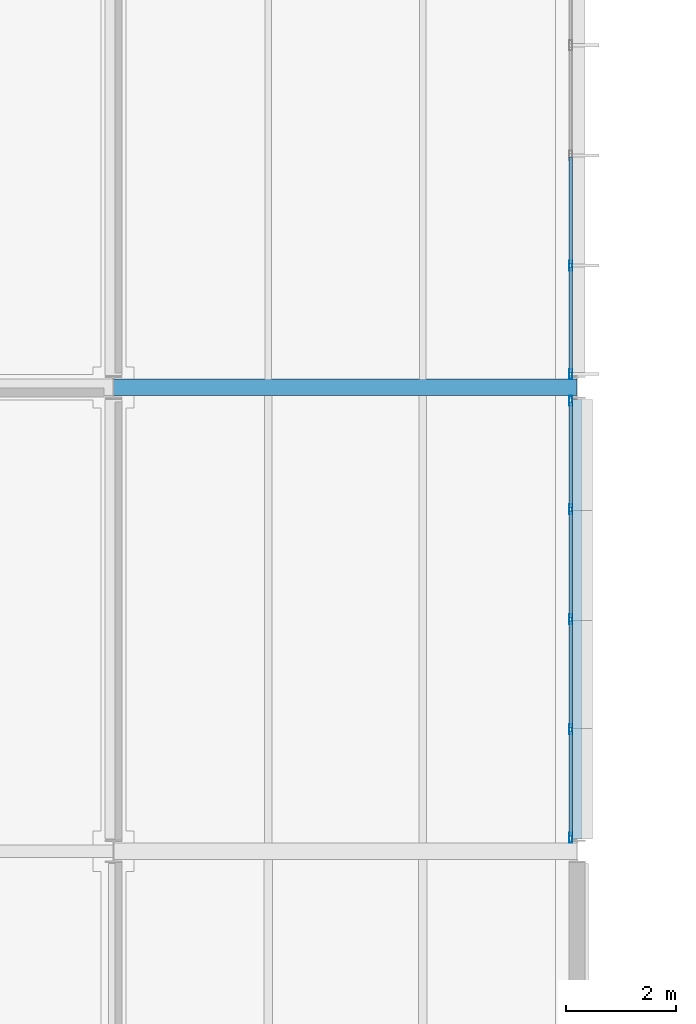
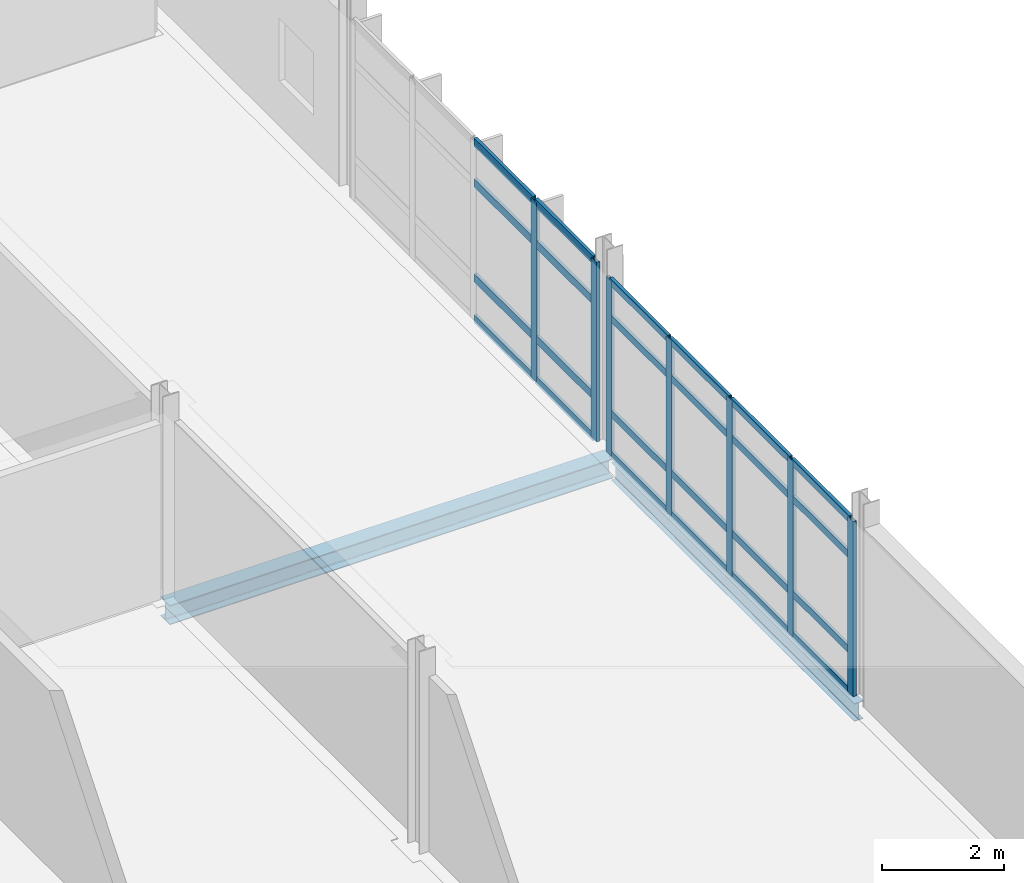
# One storey, part 87 of 131: 31 members, 2 beams, 2 elements without a shape of their own.
"""IFC4 building model written with IfcOpenShell, lengths in metres."""

from ifc_helpers import new_model, si_unit, direction, frame, origin, origin_2d, place, context, subcontext, project, spatial, hollow_rectangle, i_section, extrude, material, material_profile, profile_set, type_object, element, aggregate, save


model = new_model("IFC4")

# Units and contexts
model_context = context("Model", 3, precision=1e-05, world=origin(), true_north=direction((0.0, 1.0)))
body_context = subcontext(model_context, "Body", "Model", "MODEL_VIEW")
ifc_project = project(units=[si_unit("LENGTHUNIT", "METRE"), si_unit("AREAUNIT", "SQUARE_METRE"), si_unit("VOLUMEUNIT", "CUBIC_METRE"), si_unit("PLANEANGLEUNIT", "RADIAN"), si_unit("MASSUNIT", "GRAM", prefix="KILO")], contexts=[model_context])

# Site, building, storey
site_placement = place(None, origin())
site = spatial("IfcSite", under=ifc_project, at=site_placement, CompositionType="ELEMENT")
building_placement = place(site_placement, origin())
building = spatial("IfcBuilding", under=site, at=building_placement, Name="Mersafa Astral City Hall", CompositionType="ELEMENT")
storey_placement = place(building_placement, frame((0.0, 0.0, 13.949951171875)))
storey = spatial("IfcBuildingStorey", under=building, at=storey_placement, Name="L03", CompositionType="ELEMENT", Elevation=13.949951171875)

# Curtain wall, members
ifc_material_1 = material(Name="Anodised bronze aluminium framing", Category="aluminium")
curtain_wall_type_1 = type_object("IfcCurtainWallType", Name="ENV-CW-4", PredefinedType="USERDEFINED", material=ifc_material_1)
curtain_wall_1_placement = place(storey_placement, origin())
curtain_wall_1 = element("IfcCurtainWall", 1, at=curtain_wall_1_placement, inside=storey, type_object=curtain_wall_type_1, Name="L03 Unitised solar curtain wall 165", ObjectType="UNITISED CURTAIN WALL", PredefinedType="USERDEFINED")
ifc_material_profile_1 = material_profile(ifc_material_1, hollow_rectangle(XDim=0.06005859375, YDim=0.179931640625, WallThickness=0.00390625, at=origin_2d()), Name="RHS 60x180x4")
ifc_profile_set_1 = profile_set([ifc_material_profile_1], Name="Anodised bronze aluminium framing")
member_type_1 = type_object("IfcMemberType", Name="ENV-CW-MUL-1", PredefinedType="MULLION", material=ifc_profile_set_1)
member_1_placement = place(storey_placement, frame((176.280029296875, 75.842041015625, -0.001953125), z_axis=(0.0, 0.0, 1.0), x_axis=(-1.0, 0.0, 0.0)))
member_1 = element("IfcMember", 2, at=member_1_placement, type_object=member_type_1, Name="CW-4 mullion 1", PredefinedType="MULLION", context=body_context, shape_type="SweptSolid", body=[
    extrude(hollow_rectangle(XDim=0.06005859375, YDim=0.179931640625, WallThickness=0.00390625, at=origin_2d()), origin(), (0.0, 0.0, 1.0), 3.50390625),
])
member_2_placement = place(storey_placement, frame((176.280029296875, 77.805908203125, -0.001953125), z_axis=(0.0, 0.0, 1.0), x_axis=(-1.0, 0.0, 0.0)))
member_2 = element("IfcMember", 3, at=member_2_placement, type_object=member_type_1, Name="CW-4 mullion 2", PredefinedType="MULLION", context=body_context, shape_type="SweptSolid", body=[
    extrude(hollow_rectangle(XDim=0.06005859375, YDim=0.179931640625, WallThickness=0.00390625, at=origin_2d()), origin(), (0.0, 0.0, 1.0), 3.50390625),
])
member_3_placement = place(storey_placement, frame((176.280029296875, 79.800048828125, -0.001953125), z_axis=(0.0, 0.0, 1.0), x_axis=(-1.0, 0.0, 0.0)))
member_3 = element("IfcMember", 4, at=member_3_placement, type_object=member_type_1, Name="CW-4 mullion 3", PredefinedType="MULLION", context=body_context, shape_type="SweptSolid", body=[
    extrude(hollow_rectangle(XDim=0.06005859375, YDim=0.179931640625, WallThickness=0.00390625, at=origin_2d()), origin(), (0.0, 0.0, 1.0), 3.50390625),
])
member_4_placement = place(storey_placement, frame((176.280029296875, 81.7939453125, -0.001953125), z_axis=(0.0, 0.0, 1.0), x_axis=(-1.0, 0.0, 0.0)))
member_4 = element("IfcMember", 5, at=member_4_placement, type_object=member_type_1, Name="CW-4 mullion 4", PredefinedType="MULLION", context=body_context, shape_type="SweptSolid", body=[
    extrude(hollow_rectangle(XDim=0.06005859375, YDim=0.179931640625, WallThickness=0.00390625, at=origin_2d()), origin(), (0.0, 0.0, 1.0), 3.50390625),
])
member_5_placement = place(storey_placement, frame((176.280029296875, 83.758056640625, -0.001953125), z_axis=(0.0, 0.0, 1.0), x_axis=(-1.0, 0.0, 0.0)))
member_5 = element("IfcMember", 6, at=member_5_placement, type_object=member_type_1, Name="CW-4 mullion 5", PredefinedType="MULLION", context=body_context, shape_type="SweptSolid", body=[
    extrude(hollow_rectangle(XDim=0.06005859375, YDim=0.179931640625, WallThickness=0.00390625, at=origin_2d()), origin(), (0.0, 0.0, 1.0), 3.50390625),
])

curtain_wall_type_2 = type_object("IfcCurtainWallType", Name="ENV-CW-5", PredefinedType="USERDEFINED", material=ifc_material_1)
curtain_wall_2_placement = place(storey_placement, origin())
curtain_wall_2 = element("IfcCurtainWall", 7, at=curtain_wall_2_placement, inside=storey, type_object=curtain_wall_type_2, Name="L03 Unitised solar curtain wall 166", ObjectType="UNITISED CURTAIN WALL", PredefinedType="USERDEFINED")
member_6_placement = place(storey_placement, frame((176.280029296875, 84.241943359375, -0.001953125), z_axis=(0.0, 0.0, 1.0), x_axis=(-1.0, 0.0, 0.0)))
member_6 = element("IfcMember", 8, at=member_6_placement, type_object=member_type_1, Name="CW-5 mullion 1", PredefinedType="MULLION", context=body_context, shape_type="SweptSolid", body=[
    extrude(hollow_rectangle(XDim=0.06005859375, YDim=0.179931640625, WallThickness=0.00390625, at=origin_2d()), origin(), (0.0, 0.0, 1.0), 3.593994140625),
])
member_7_placement = place(storey_placement, frame((176.280029296875, 86.2060546875, -0.001953125), z_axis=(0.0, 0.0, 1.0), x_axis=(-1.0, 0.0, 0.0)))
member_7 = element("IfcMember", 9, at=member_7_placement, type_object=member_type_1, Name="CW-5 mullion 2", PredefinedType="MULLION", context=body_context, shape_type="SweptSolid", body=[
    extrude(hollow_rectangle(XDim=0.06005859375, YDim=0.179931640625, WallThickness=0.00390625, at=origin_2d()), origin(), (0.0, 0.0, 1.0), 3.593994140625),
])

# Member
ifc_material_profile_2 = material_profile(ifc_material_1, hollow_rectangle(XDim=0.06005859375, YDim=0.139892578125, WallThickness=0.00390625, at=origin_2d()), Name="RHS 60x140x4")
ifc_profile_set_2 = profile_set([ifc_material_profile_2], Name="Anodised bronze aluminium framing")
member_type_2 = type_object("IfcMemberType", Name="ENV-CW-TRN-1", PredefinedType="USERDEFINED", material=ifc_profile_set_2)
member_8_placement = place(storey_placement, frame((176.280029296875, 75.8720703125, 0.028076171875), z_axis=(0.0, 1.0, 0.0), x_axis=(-1.0, 0.0, 0.0)))
member_8 = element("IfcMember", 10, at=member_8_placement, type_object=member_type_2, Name="CW-4 transom 1.1", ObjectType="TRANSOM", PredefinedType="USERDEFINED", context=body_context, shape_type="SweptSolid", body=[
    extrude(hollow_rectangle(XDim=0.06005859375, YDim=0.139892578125, WallThickness=0.00390625, at=origin_2d()), origin(), (0.0, 0.0, 1.0), 1.90380859375),
])

member_9_placement = place(storey_placement, frame((176.280029296875, 75.8720703125, 0.85009765625), z_axis=(0.0, 1.0, 0.0), x_axis=(-1.0, 0.0, 0.0)))
member_9 = element("IfcMember", 11, at=member_9_placement, type_object=member_type_2, Name="CW-4 transom 1.2", ObjectType="TRANSOM", PredefinedType="USERDEFINED", context=body_context, shape_type="SweptSolid", body=[
    extrude(hollow_rectangle(XDim=0.06005859375, YDim=0.139892578125, WallThickness=0.00390625, at=origin_2d()), origin(), (0.0, 0.0, 1.0), 1.90380859375),
])

member_10_placement = place(storey_placement, frame((176.280029296875, 75.8720703125, 2.75), z_axis=(0.0, 1.0, 0.0), x_axis=(-1.0, 0.0, 0.0)))
member_10 = element("IfcMember", 12, at=member_10_placement, type_object=member_type_2, Name="CW-4 transom 1.3", ObjectType="TRANSOM", PredefinedType="USERDEFINED", context=body_context, shape_type="SweptSolid", body=[
    extrude(hollow_rectangle(XDim=0.06005859375, YDim=0.139892578125, WallThickness=0.00390625, at=origin_2d()), origin(), (0.0, 0.0, 1.0), 1.90380859375),
])

member_11_placement = place(storey_placement, frame((176.280029296875, 75.8720703125, 3.47216796875), z_axis=(0.0, 1.0, 0.0), x_axis=(-1.0, 0.0, 0.0)))
member_11 = element("IfcMember", 13, at=member_11_placement, type_object=member_type_2, Name="CW-4 transom 1.4", ObjectType="TRANSOM", PredefinedType="USERDEFINED", context=body_context, shape_type="SweptSolid", body=[
    extrude(hollow_rectangle(XDim=0.06005859375, YDim=0.139892578125, WallThickness=0.00390625, at=origin_2d()), origin(), (0.0, 0.0, 1.0), 1.90380859375),
])

member_12_placement = place(storey_placement, frame((176.280029296875, 77.8359375, 0.028076171875), z_axis=(0.0, 1.0, 0.0), x_axis=(-1.0, 0.0, 0.0)))
member_12 = element("IfcMember", 14, at=member_12_placement, type_object=member_type_2, Name="CW-4 transom 2.1", ObjectType="TRANSOM", PredefinedType="USERDEFINED", context=body_context, shape_type="SweptSolid", body=[
    extrude(hollow_rectangle(XDim=0.06005859375, YDim=0.139892578125, WallThickness=0.00390625, at=origin_2d()), origin(), (0.0, 0.0, 1.0), 1.93408203125),
])

member_13_placement = place(storey_placement, frame((176.280029296875, 77.8359375, 0.85009765625), z_axis=(0.0, 1.0, 0.0), x_axis=(-1.0, 0.0, 0.0)))
member_13 = element("IfcMember", 15, at=member_13_placement, type_object=member_type_2, Name="CW-4 transom 2.2", ObjectType="TRANSOM", PredefinedType="USERDEFINED", context=body_context, shape_type="SweptSolid", body=[
    extrude(hollow_rectangle(XDim=0.06005859375, YDim=0.139892578125, WallThickness=0.00390625, at=origin_2d()), origin(), (0.0, 0.0, 1.0), 1.93408203125),
])

member_14_placement = place(storey_placement, frame((176.280029296875, 77.8359375, 2.75), z_axis=(0.0, 1.0, 0.0), x_axis=(-1.0, 0.0, 0.0)))
member_14 = element("IfcMember", 16, at=member_14_placement, type_object=member_type_2, Name="CW-4 transom 2.3", ObjectType="TRANSOM", PredefinedType="USERDEFINED", context=body_context, shape_type="SweptSolid", body=[
    extrude(hollow_rectangle(XDim=0.06005859375, YDim=0.139892578125, WallThickness=0.00390625, at=origin_2d()), origin(), (0.0, 0.0, 1.0), 1.93408203125),
])

member_15_placement = place(storey_placement, frame((176.280029296875, 77.8359375, 3.47216796875), z_axis=(0.0, 1.0, 0.0), x_axis=(-1.0, 0.0, 0.0)))
member_15 = element("IfcMember", 17, at=member_15_placement, type_object=member_type_2, Name="CW-4 transom 2.4", ObjectType="TRANSOM", PredefinedType="USERDEFINED", context=body_context, shape_type="SweptSolid", body=[
    extrude(hollow_rectangle(XDim=0.06005859375, YDim=0.139892578125, WallThickness=0.00390625, at=origin_2d()), origin(), (0.0, 0.0, 1.0), 1.93408203125),
])

member_16_placement = place(storey_placement, frame((176.280029296875, 79.830078125, 0.028076171875), z_axis=(0.0, 1.0, 0.0), x_axis=(-1.0, 0.0, 0.0)))
member_16 = element("IfcMember", 18, at=member_16_placement, type_object=member_type_2, Name="CW-4 transom 3.1", ObjectType="TRANSOM", PredefinedType="USERDEFINED", context=body_context, shape_type="SweptSolid", body=[
    extrude(hollow_rectangle(XDim=0.06005859375, YDim=0.139892578125, WallThickness=0.00390625, at=origin_2d()), origin(), (0.0, 0.0, 1.0), 1.933837890625),
])

member_17_placement = place(storey_placement, frame((176.280029296875, 79.830078125, 0.85009765625), z_axis=(0.0, 1.0, 0.0), x_axis=(-1.0, 0.0, 0.0)))
member_17 = element("IfcMember", 19, at=member_17_placement, type_object=member_type_2, Name="CW-4 transom 3.2", ObjectType="TRANSOM", PredefinedType="USERDEFINED", context=body_context, shape_type="SweptSolid", body=[
    extrude(hollow_rectangle(XDim=0.06005859375, YDim=0.139892578125, WallThickness=0.00390625, at=origin_2d()), origin(), (0.0, 0.0, 1.0), 1.933837890625),
])

member_18_placement = place(storey_placement, frame((176.280029296875, 79.830078125, 2.75), z_axis=(0.0, 1.0, 0.0), x_axis=(-1.0, 0.0, 0.0)))
member_18 = element("IfcMember", 20, at=member_18_placement, type_object=member_type_2, Name="CW-4 transom 3.3", ObjectType="TRANSOM", PredefinedType="USERDEFINED", context=body_context, shape_type="SweptSolid", body=[
    extrude(hollow_rectangle(XDim=0.06005859375, YDim=0.139892578125, WallThickness=0.00390625, at=origin_2d()), origin(), (0.0, 0.0, 1.0), 1.933837890625),
])

member_19_placement = place(storey_placement, frame((176.280029296875, 79.830078125, 3.47216796875), z_axis=(0.0, 1.0, 0.0), x_axis=(-1.0, 0.0, 0.0)))
member_19 = element("IfcMember", 21, at=member_19_placement, type_object=member_type_2, Name="CW-4 transom 3.4", ObjectType="TRANSOM", PredefinedType="USERDEFINED", context=body_context, shape_type="SweptSolid", body=[
    extrude(hollow_rectangle(XDim=0.06005859375, YDim=0.139892578125, WallThickness=0.00390625, at=origin_2d()), origin(), (0.0, 0.0, 1.0), 1.933837890625),
])

member_20_placement = place(storey_placement, frame((176.280029296875, 81.823974609375, 0.028076171875), z_axis=(0.0, 1.0, 0.0), x_axis=(-1.0, 0.0, 0.0)))
member_20 = element("IfcMember", 22, at=member_20_placement, type_object=member_type_2, Name="CW-4 transom 4.1", ObjectType="TRANSOM", PredefinedType="USERDEFINED", context=body_context, shape_type="SweptSolid", body=[
    extrude(hollow_rectangle(XDim=0.06005859375, YDim=0.139892578125, WallThickness=0.00390625, at=origin_2d()), origin(), (0.0, 0.0, 1.0), 1.904052734375),
])

member_21_placement = place(storey_placement, frame((176.280029296875, 81.823974609375, 0.85009765625), z_axis=(0.0, 1.0, 0.0), x_axis=(-1.0, 0.0, 0.0)))
member_21 = element("IfcMember", 23, at=member_21_placement, type_object=member_type_2, Name="CW-4 transom 4.2", ObjectType="TRANSOM", PredefinedType="USERDEFINED", context=body_context, shape_type="SweptSolid", body=[
    extrude(hollow_rectangle(XDim=0.06005859375, YDim=0.139892578125, WallThickness=0.00390625, at=origin_2d()), origin(), (0.0, 0.0, 1.0), 1.904052734375),
])

member_22_placement = place(storey_placement, frame((176.280029296875, 81.823974609375, 2.75), z_axis=(0.0, 1.0, 0.0), x_axis=(-1.0, 0.0, 0.0)))
member_22 = element("IfcMember", 24, at=member_22_placement, type_object=member_type_2, Name="CW-4 transom 4.3", ObjectType="TRANSOM", PredefinedType="USERDEFINED", context=body_context, shape_type="SweptSolid", body=[
    extrude(hollow_rectangle(XDim=0.06005859375, YDim=0.139892578125, WallThickness=0.00390625, at=origin_2d()), origin(), (0.0, 0.0, 1.0), 1.904052734375),
])

member_23_placement = place(storey_placement, frame((176.280029296875, 81.823974609375, 3.47216796875), z_axis=(0.0, 1.0, 0.0), x_axis=(-1.0, 0.0, 0.0)))
member_23 = element("IfcMember", 25, at=member_23_placement, type_object=member_type_2, Name="CW-4 transom 4.4", ObjectType="TRANSOM", PredefinedType="USERDEFINED", context=body_context, shape_type="SweptSolid", body=[
    extrude(hollow_rectangle(XDim=0.06005859375, YDim=0.139892578125, WallThickness=0.00390625, at=origin_2d()), origin(), (0.0, 0.0, 1.0), 1.904052734375),
])

aggregate(curtain_wall_1, [member_1, member_2, member_3, member_4, member_5, member_8, member_9, member_10, member_11, member_12, member_13, member_14, member_15, member_16, member_17, member_18, member_19, member_20, member_21, member_22, member_23])

ifc_material_profile_3 = material_profile(ifc_material_1, hollow_rectangle(XDim=0.06005859375, YDim=0.159912109375, WallThickness=0.00390625, at=origin_2d()), Name="RHS 60x160x4")
ifc_profile_set_3 = profile_set([ifc_material_profile_3], Name="Anodised bronze aluminium framing")
member_type_3 = type_object("IfcMemberType", Name="ENV-CW-TRN-2", PredefinedType="USERDEFINED", material=ifc_profile_set_3)
member_24_placement = place(storey_placement, frame((176.280029296875, 84.27197265625, 0.028076171875), z_axis=(0.0, 1.0, 0.0), x_axis=(-1.0, 0.0, 0.0)))
member_24 = element("IfcMember", 26, at=member_24_placement, type_object=member_type_3, Name="CW-5 transom 1.1", ObjectType="TRANSOM", PredefinedType="USERDEFINED", context=body_context, shape_type="SweptSolid", body=[
    extrude(hollow_rectangle(XDim=0.06005859375, YDim=0.159912109375, WallThickness=0.00390625, at=origin_2d()), origin(), (0.0, 0.0, 1.0), 1.904052734375),
])

member_25_placement = place(storey_placement, frame((176.280029296875, 84.27197265625, 0.85009765625), z_axis=(0.0, 1.0, 0.0), x_axis=(-1.0, 0.0, 0.0)))
member_25 = element("IfcMember", 27, at=member_25_placement, type_object=member_type_3, Name="CW-5 transom 1.2", ObjectType="TRANSOM", PredefinedType="USERDEFINED", context=body_context, shape_type="SweptSolid", body=[
    extrude(hollow_rectangle(XDim=0.06005859375, YDim=0.159912109375, WallThickness=0.00390625, at=origin_2d()), origin(), (0.0, 0.0, 1.0), 1.904052734375),
])

member_26_placement = place(storey_placement, frame((176.280029296875, 84.27197265625, 2.75), z_axis=(0.0, 1.0, 0.0), x_axis=(-1.0, 0.0, 0.0)))
member_26 = element("IfcMember", 28, at=member_26_placement, type_object=member_type_3, Name="CW-5 transom 1.3", ObjectType="TRANSOM", PredefinedType="USERDEFINED", context=body_context, shape_type="SweptSolid", body=[
    extrude(hollow_rectangle(XDim=0.06005859375, YDim=0.159912109375, WallThickness=0.00390625, at=origin_2d()), origin(), (0.0, 0.0, 1.0), 1.904052734375),
])

member_27_placement = place(storey_placement, frame((176.280029296875, 84.27197265625, 3.56201171875), z_axis=(0.0, 1.0, 0.0), x_axis=(-1.0, 0.0, 0.0)))
member_27 = element("IfcMember", 29, at=member_27_placement, type_object=member_type_3, Name="CW-5 transom 1.4", ObjectType="TRANSOM", PredefinedType="USERDEFINED", context=body_context, shape_type="SweptSolid", body=[
    extrude(hollow_rectangle(XDim=0.06005859375, YDim=0.159912109375, WallThickness=0.00390625, at=origin_2d()), origin(), (0.0, 0.0, 1.0), 1.904052734375),
])

member_28_placement = place(storey_placement, frame((176.280029296875, 86.236083984375, 0.028076171875), z_axis=(0.0, 1.0, 0.0), x_axis=(-1.0, 0.0, 0.0)))
member_28 = element("IfcMember", 30, at=member_28_placement, type_object=member_type_3, Name="CW-5 transom 2.1", ObjectType="TRANSOM", PredefinedType="USERDEFINED", context=body_context, shape_type="SweptSolid", body=[
    extrude(hollow_rectangle(XDim=0.06005859375, YDim=0.159912109375, WallThickness=0.00390625, at=origin_2d()), origin(), (0.0, 0.0, 1.0), 1.933837890625),
])

member_29_placement = place(storey_placement, frame((176.280029296875, 86.236083984375, 0.85009765625), z_axis=(0.0, 1.0, 0.0), x_axis=(-1.0, 0.0, 0.0)))
member_29 = element("IfcMember", 31, at=member_29_placement, type_object=member_type_3, Name="CW-5 transom 2.2", ObjectType="TRANSOM", PredefinedType="USERDEFINED", context=body_context, shape_type="SweptSolid", body=[
    extrude(hollow_rectangle(XDim=0.06005859375, YDim=0.159912109375, WallThickness=0.00390625, at=origin_2d()), origin(), (0.0, 0.0, 1.0), 1.933837890625),
])

member_30_placement = place(storey_placement, frame((176.280029296875, 86.236083984375, 2.75), z_axis=(0.0, 1.0, 0.0), x_axis=(-1.0, 0.0, 0.0)))
member_30 = element("IfcMember", 32, at=member_30_placement, type_object=member_type_3, Name="CW-5 transom 2.3", ObjectType="TRANSOM", PredefinedType="USERDEFINED", context=body_context, shape_type="SweptSolid", body=[
    extrude(hollow_rectangle(XDim=0.06005859375, YDim=0.159912109375, WallThickness=0.00390625, at=origin_2d()), origin(), (0.0, 0.0, 1.0), 1.933837890625),
])

member_31_placement = place(storey_placement, frame((176.280029296875, 86.236083984375, 3.56201171875), z_axis=(0.0, 1.0, 0.0), x_axis=(-1.0, 0.0, 0.0)))
member_31 = element("IfcMember", 33, at=member_31_placement, type_object=member_type_3, Name="CW-5 transom 2.4", ObjectType="TRANSOM", PredefinedType="USERDEFINED", context=body_context, shape_type="SweptSolid", body=[
    extrude(hollow_rectangle(XDim=0.06005859375, YDim=0.159912109375, WallThickness=0.00390625, at=origin_2d()), origin(), (0.0, 0.0, 1.0), 1.933837890625),
])

aggregate(curtain_wall_2, [member_6, member_7, member_24, member_25, member_26, member_27, member_28, member_29, member_30, member_31])

# Beams
ifc_material_2 = material(Name="Steel S355", Category="steel")
ifc_material_profile_4 = material_profile(ifc_material_2, i_section(OverallWidth=0.300048828125, OverallDepth=0.389892578125, WebThickness=0.010986328125, FlangeThickness=0.01904296875, FilletRadius=0.027099609375, at=origin_2d()), Name="HEA 400")
ifc_profile_set_4 = profile_set([ifc_material_profile_4], Name="Steel S355")
beam_type_1 = type_object("IfcBeamType", Name="STR-BM-HEA400", PredefinedType="BEAM", material=ifc_profile_set_4)
beam_1_placement = place(storey_placement, frame((168.0029296875, 84.0, -0.39501953125), z_axis=(1.0, 0.0, 0.0), x_axis=(0.0, 1.0, 0.0)))
element("IfcBeam", 34, at=beam_1_placement, inside=storey, type_object=beam_type_1, Name="L03 Primary girder X 20-10", PredefinedType="BEAM", context=body_context, shape_type="SweptSolid", body=[
    extrude(i_section(OverallWidth=0.300048828125, OverallDepth=0.389892578125, WebThickness=0.010986328125, FlangeThickness=0.01904296875, FilletRadius=0.027099609375, at=origin_2d()), origin(), (0.0, 0.0, 1.0), 8.39404296875),
])
ifc_material_profile_5 = material_profile(ifc_material_2, i_section(OverallWidth=0.169921875, OverallDepth=0.360107421875, WebThickness=0.008056640625, FlangeThickness=0.0126953125, FilletRadius=0.01806640625, at=origin_2d()), Name="IPE 360")
ifc_profile_set_5 = profile_set([ifc_material_profile_5], Name="Steel S355")
beam_type_2 = type_object("IfcBeamType", Name="STR-BM-SPANDREL-IPE360", PredefinedType="SPANDREL", material=ifc_profile_set_5)
beam_2_placement = place(storey_placement, frame((176.39990234375, 75.820068359375, -0.3798828125), z_axis=(0.0, 1.0, 0.0), x_axis=(-1.0, 0.0, 0.0)))
element("IfcBeam", 35, at=beam_2_placement, inside=storey, type_object=beam_type_2, Name="L03 Primary girder Y 21-9", PredefinedType="SPANDREL", context=body_context, shape_type="SweptSolid", body=[
    extrude(i_section(OverallWidth=0.169921875, OverallDepth=0.360107421875, WebThickness=0.008056640625, FlangeThickness=0.0126953125, FilletRadius=0.01806640625, at=origin_2d()), origin(), (0.0, 0.0, 1.0), 7.9599609375),
])

save(model, "model.ifc")
